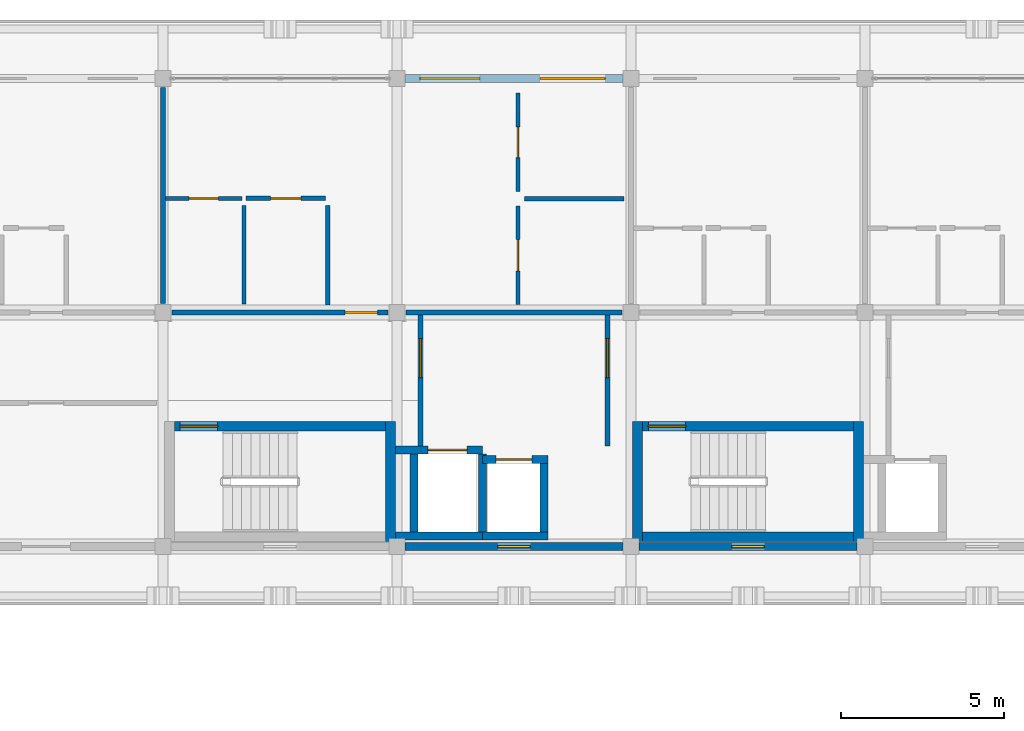
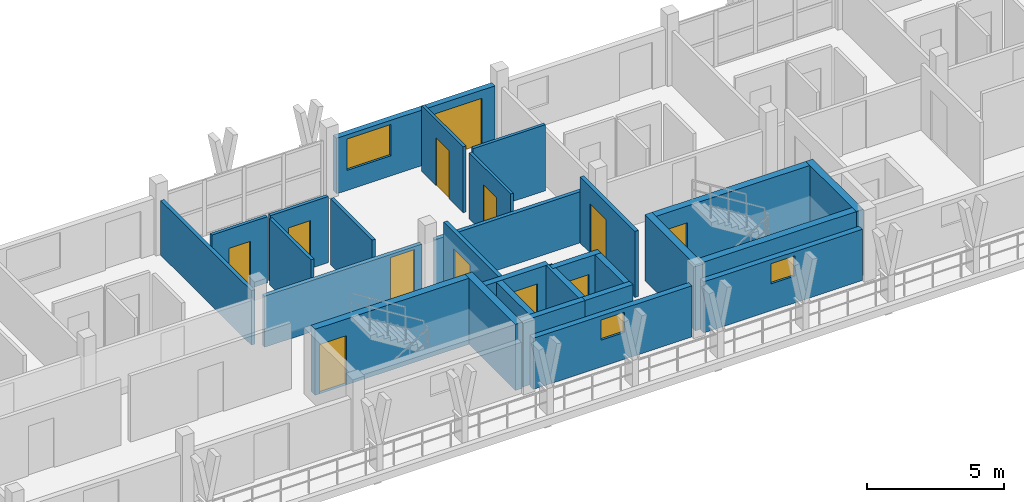
# One storey, part 20 of 32: 28 walls, 12 doors, 3 windows, 15 openings.
"""IFC4 building model written with IfcOpenShell, lengths in metres."""

from ifc_helpers import new_model, si_unit, direction, frame, frame_2d, origin, place, context, subcontext, project, spatial, rectangle, extrude, material, layer, layer_set, type_object, element, fill, save


model = new_model("IFC4")

# Units and contexts
model_context = context("Model", 3, precision=1e-05, world=origin(), true_north=direction((0.0, 1.0)))
body_context = subcontext(model_context, "Body", "Model", "MODEL_VIEW")
ifc_project = project(units=[si_unit("LENGTHUNIT", "METRE"), si_unit("AREAUNIT", "SQUARE_METRE"), si_unit("VOLUMEUNIT", "CUBIC_METRE"), si_unit("PLANEANGLEUNIT", "RADIAN"), si_unit("MASSUNIT", "GRAM", prefix="KILO")], contexts=[model_context])

# Site, building, storey
site_placement = place(None, origin())
site = spatial("IfcSite", under=ifc_project, at=site_placement, CompositionType="ELEMENT")
building_placement = place(site_placement, origin())
building = spatial("IfcBuilding", under=site, at=building_placement, Name="Suanplinth Sawtooth Commons", CompositionType="ELEMENT")
storey_placement = place(building_placement, frame((0.0, 0.0, 41.199951171875)))
storey = spatial("IfcBuildingStorey", under=building, at=storey_placement, Name="L12", CompositionType="ELEMENT", Elevation=41.199951171875)

# Wall, opening, door
ifc_material_1 = material(Name="Concrete C40/50", Category="concrete")
ifc_layer_1 = layer(ifc_material_1, 0.300048828125, Name="Standard RC stair and lift core wall 300mm")
ifc_layer_set_1 = layer_set([ifc_layer_1], Name="Concrete C40/50")
wall_type_1 = type_object("IfcWallType", Name="W-CR02", PredefinedType="SHEAR", material=ifc_layer_set_1)
wall_1_placement = place(storey_placement, frame((43.550048828125, 111.699951171875, 0.0), z_axis=(0.0, 0.0, 1.0), x_axis=(1.0, 0.0, 0.0)))
wall_1 = element("IfcWall", 1, at=wall_1_placement, inside=storey, type_object=wall_type_1, Name="W-L12-C-A1-STN", PredefinedType="SHEAR", context=body_context, shape_type="SweptSolid", body=[
    extrude(rectangle(XDim=6.5, YDim=0.300048828125, at=frame_2d((3.25, 0.0))), origin(), (0.0, 0.0, 1.0), 2.949951171875),
])
opening_1_placement = place(wall_1_placement, frame((0.179931640625, 0.0, 0.0)))
opening_1 = element("IfcOpeningElement", 2, at=opening_1_placement, cuts=wall_1, Name="Opening FD0066", PredefinedType="OPENING", context=body_context, shape_type="SweptSolid", body=[
    extrude(rectangle(XDim=1.14990234375, YDim=2.199951171875, at=frame_2d((0.574951171875, 1.10009765625))), frame((0.0, 0.1650390625, 0.0), z_axis=(0.0, -1.0, 0.0), x_axis=(1.0, 0.0, 0.0)), (0.0, 0.0, 1.0), 0.329833984375),
])
ifc_material_2 = material(Name="Teak hardwood fire-rated door assembly", Category="wood")
door_type_1 = type_object("IfcDoorType", Name="FD-01", OperationType="NOTDEFINED", PredefinedType="DOOR", material=ifc_material_2)
door_1_placement = place(opening_1_placement, frame((1.14990234375, 0.0, 0.0), z_axis=(0.0, 0.0, 1.0), x_axis=(-1.0, 0.0, 0.0)))
door_1 = element("IfcDoor", 3, at=door_1_placement, inside=storey, type_object=door_type_1, Name="Exit Stair Fire Door FD0066", OperationType="SINGLE_SWING_LEFT", OverallHeight=2.199951171875, OverallWidth=1.14990234375, PredefinedType="DOOR", context=body_context, shape_type="SweptSolid", body=[
    extrude(rectangle(XDim=1.14990234375, YDim=2.199951171875, at=frame_2d((0.574951171875, 1.10009765625))), frame((0.0, 0.02490234375, 0.0), z_axis=(0.0, -1.0, 0.0), x_axis=(1.0, 0.0, 0.0)), (0.0, 0.0, 1.0), 0.050048828125),
])
fill(opening_1, door_1)

# Walls
wall_2_placement = place(storey_placement, frame((50.199951171875, 108.14990234375, 0.0), z_axis=(0.0, 0.0, 1.0), x_axis=(0.0, 1.0, 0.0)))
element("IfcWall", 4, at=wall_2_placement, inside=storey, type_object=wall_type_1, Name="W-L12-C-A1-STE", PredefinedType="SHEAR", context=body_context, shape_type="SweptSolid", body=[
    extrude(rectangle(XDim=3.7001953125, YDim=0.300048828125, at=frame_2d((1.85009765625, 0.0))), origin(), (0.0, 0.0, 1.0), 2.949951171875),
])
wall_3_placement = place(storey_placement, frame((57.949951171875, 108.300048828125, 0.0), z_axis=(0.0, 0.0, 1.0), x_axis=(1.0, 0.0, 0.0)))
element("IfcWall", 5, at=wall_3_placement, inside=storey, type_object=wall_type_1, Name="W-L12-C-A2-STS", PredefinedType="SHEAR", context=body_context, shape_type="SweptSolid", body=[
    extrude(rectangle(XDim=6.5, YDim=0.300048828125, at=frame_2d((3.25, 0.0))), origin(), (0.0, 0.0, 1.0), 2.949951171875),
])

# Wall, opening, door
wall_4_placement = place(storey_placement, frame((57.949951171875, 111.699951171875, 0.0), z_axis=(0.0, 0.0, 1.0), x_axis=(1.0, 0.0, 0.0)))
wall_4 = element("IfcWall", 6, at=wall_4_placement, inside=storey, type_object=wall_type_1, Name="W-L12-C-A2-STN", PredefinedType="SHEAR", context=body_context, shape_type="SweptSolid", body=[
    extrude(rectangle(XDim=6.5, YDim=0.300048828125, at=frame_2d((3.25, 0.0))), origin(), (0.0, 0.0, 1.0), 2.949951171875),
])
opening_2_placement = place(wall_4_placement, frame((0.179931640625, 0.0, 0.0)))
opening_2 = element("IfcOpeningElement", 7, at=opening_2_placement, cuts=wall_4, Name="Opening FD0138", PredefinedType="OPENING", context=body_context, shape_type="SweptSolid", body=[
    extrude(rectangle(XDim=1.14990234375, YDim=2.199951171875, at=frame_2d((0.574951171875, 1.10009765625))), frame((0.0, 0.1650390625, 0.0), z_axis=(0.0, -1.0, 0.0), x_axis=(1.0, 0.0, 0.0)), (0.0, 0.0, 1.0), 0.329833984375),
])
door_2_placement = place(opening_2_placement, frame((1.14990234375, 0.0, 0.0), z_axis=(0.0, 0.0, 1.0), x_axis=(-1.0, 0.0, 0.0)))
door_2 = element("IfcDoor", 8, at=door_2_placement, inside=storey, type_object=door_type_1, Name="Exit Stair Fire Door FD0138", OperationType="SINGLE_SWING_RIGHT", OverallHeight=2.199951171875, OverallWidth=1.14990234375, PredefinedType="DOOR", context=body_context, shape_type="SweptSolid", body=[
    extrude(rectangle(XDim=1.14990234375, YDim=2.199951171875, at=frame_2d((0.574951171875, 1.10009765625))), frame((0.0, 0.02490234375, 0.0), z_axis=(0.0, -1.0, 0.0), x_axis=(1.0, 0.0, 0.0)), (0.0, 0.0, 1.0), 0.050048828125),
])
fill(opening_2, door_2)

# Walls
for number, where, z_axis, x_axis, name in (
    (9, (57.800048828125, 108.14990234375, 0.0), (0.0, 0.0, 1.0), (0.0, 1.0, 0.0), "W-L12-C-A2-STW"),
    (10, (64.60009765625, 108.14990234375, 0.0), (0.0, 0.0, 1.0), (0.0, 1.0, 0.0), "W-L12-C-A2-STE"),
):
    element("IfcWall", number, at=place(storey_placement, frame(where, z_axis=z_axis, x_axis=x_axis)), inside=storey, type_object=wall_type_1, Name=name, PredefinedType="SHEAR", context=body_context, shape_type="SweptSolid", body=[
        extrude(rectangle(XDim=3.7001953125, YDim=0.300048828125, at=frame_2d((1.85009765625, 0.0))), origin(), (0.0, 0.0, 1.0), 2.949951171875),
    ])

# Wall, openings, door, window
ifc_material_3 = material(Name="Precast concrete C40/50", Category="concrete")
ifc_layer_2 = layer(ifc_material_3, 0.239990234375, Name="Upper insulated precast facade wall 240mm")
ifc_layer_set_2 = layer_set([ifc_layer_2], Name="Precast concrete C40/50")
wall_type_2 = type_object("IfcWallType", Name="W-EX03", PredefinedType="ELEMENTEDWALL", material=ifc_layer_set_2)
wall_5_placement = place(storey_placement, frame((50.64990234375, 122.39990234375, 0.0), z_axis=(0.0, 0.0, 1.0), x_axis=(1.0, 0.0, 0.0)))
wall_5 = element("IfcWall", 11, at=wall_5_placement, inside=storey, type_object=wall_type_2, Name="Facade Wall W-L12-A-N-3", PredefinedType="ELEMENTEDWALL", context=body_context, shape_type="SweptSolid", body=[
    extrude(rectangle(XDim=6.7001953125, YDim=0.239990234375, at=frame_2d((3.35009765625, 0.0))), origin(), (0.0, 0.0, 1.0), 2.485107421875),
])
opening_3_placement = place(wall_5_placement, frame((4.14990234375, 0.0, 0.0)))
opening_3 = element("IfcOpeningElement", 12, at=opening_3_placement, cuts=wall_5, Name="Opening ED0811", PredefinedType="OPENING", context=body_context, shape_type="SweptSolid", body=[
    extrude(rectangle(XDim=2.0, YDim=2.1201171875, at=frame_2d((1.0, 1.06005859375))), frame((0.0, 0.134765625, 0.0), z_axis=(0.0, -1.0, 0.0), x_axis=(1.0, 0.0, 0.0)), (0.0, 0.0, 1.0), 0.269775390625),
])
opening_4_placement = place(wall_5_placement, frame((0.449951171875, 0.0, 0.89990234375)))
opening_4 = element("IfcOpeningElement", 13, at=opening_4_placement, cuts=wall_5, Name="Opening W0892", PredefinedType="OPENING", context=body_context, shape_type="SweptSolid", body=[
    extrude(rectangle(XDim=1.85009765625, YDim=1.39990234375, at=frame_2d((0.925048828125, 0.699951171875))), frame((0.0, 0.134765625, 0.0), z_axis=(0.0, -1.0, 0.0), x_axis=(1.0, 0.0, 0.0)), (0.0, 0.0, 1.0), 0.269775390625),
])
ifc_material_4 = material(Name="Anodized aluminium and low-E glass", Category="aluminium")
door_type_2 = type_object("IfcDoorType", Name="SD-06", OperationType="DOUBLE_DOOR_SLIDING", PredefinedType="DOOR", material=ifc_material_4)
door_3_placement = place(opening_3_placement, frame((2.0, 0.0, 0.0), z_axis=(0.0, 0.0, 1.0), x_axis=(-1.0, 0.0, 0.0)))
door_3 = element("IfcDoor", 14, at=door_3_placement, inside=storey, type_object=door_type_2, Name="Balcony Sliding Door L12-A-N-3", OperationType="DOUBLE_DOOR_SLIDING", OverallHeight=2.1201171875, OverallWidth=2.0, PredefinedType="DOOR", context=body_context, shape_type="SweptSolid", body=[
    extrude(rectangle(XDim=2.0, YDim=2.1201171875, at=frame_2d((1.0, 1.06005859375))), frame((0.0, 0.02490234375, 0.0), z_axis=(0.0, -1.0, 0.0), x_axis=(1.0, 0.0, 0.0)), (0.0, 0.0, 1.0), 0.050048828125),
])
fill(opening_3, door_3)
ifc_material_5 = material(Name="Thermally broken aluminium and low-E double glazing", Category="aluminium")
window_type_1 = type_object("IfcWindowType", Name="WN-23", PartitioningType="DOUBLE_PANEL_VERTICAL", PredefinedType="WINDOW", material=ifc_material_5)
window_1_placement = place(opening_4_placement, origin())
window_1 = element("IfcWindow", 15, at=window_1_placement, inside=storey, type_object=window_type_1, Name="Window L12-A-N-3", OverallHeight=1.39990234375, OverallWidth=1.85009765625, PartitioningType="DOUBLE_PANEL_VERTICAL", PredefinedType="WINDOW", context=body_context, shape_type="SweptSolid", body=[
    extrude(rectangle(XDim=1.85009765625, YDim=1.39990234375, at=frame_2d((0.925048828125, 0.699951171875))), frame((0.0, 0.030029296875, 0.0), z_axis=(0.0, -1.0, 0.0), x_axis=(1.0, 0.0, 0.0)), (0.0, 0.0, 1.0), 0.06005859375),
])
fill(opening_4, window_1)

# Wall, opening, window
wall_6_placement = place(storey_placement, frame((50.64990234375, 108.0, 0.0), z_axis=(0.0, 0.0, 1.0), x_axis=(1.0, 0.0, 0.0)))
wall_6 = element("IfcWall", 16, at=wall_6_placement, inside=storey, type_object=wall_type_2, Name="Courtyard Wall W-L12-A-S-3", PredefinedType="ELEMENTEDWALL", context=body_context, shape_type="SweptSolid", body=[
    extrude(rectangle(XDim=6.7001953125, YDim=0.239990234375, at=frame_2d((3.35009765625, 0.0))), origin(), (0.0, 0.0, 1.0), 2.28515625),
])
opening_5_placement = place(wall_6_placement, frame((2.85009765625, 0.0, 1.199951171875)))
opening_5 = element("IfcOpeningElement", 17, at=opening_5_placement, cuts=wall_6, Name="Opening W0893", PredefinedType="OPENING", context=body_context, shape_type="SweptSolid", body=[
    extrude(rectangle(XDim=1.0, YDim=0.89990234375, at=frame_2d((0.5, 0.449951171875))), frame((0.0, 0.134765625, 0.0), z_axis=(0.0, -1.0, 0.0), x_axis=(1.0, 0.0, 0.0)), (0.0, 0.0, 1.0), 0.269775390625),
])
window_type_2 = type_object("IfcWindowType", Name="WN-12", PartitioningType="SINGLE_PANEL", PredefinedType="WINDOW", material=ifc_material_5)
window_2_placement = place(opening_5_placement, origin())
window_2 = element("IfcWindow", 18, at=window_2_placement, inside=storey, type_object=window_type_2, Name="Core Daylight Window L12-A-3", OverallHeight=0.89990234375, OverallWidth=1.0, PartitioningType="SINGLE_PANEL", PredefinedType="WINDOW", context=body_context, shape_type="SweptSolid", body=[
    extrude(rectangle(XDim=1.0, YDim=0.89990234375, at=frame_2d((0.5, 0.449951171875))), frame((0.0, 0.030029296875, 0.0), z_axis=(0.0, -1.0, 0.0), x_axis=(1.0, 0.0, 0.0)), (0.0, 0.0, 1.0), 0.06005859375),
])
fill(opening_5, window_2)

wall_7_placement = place(storey_placement, frame((57.85009765625, 108.0, 0.0), z_axis=(0.0, 0.0, 1.0), x_axis=(1.0, 0.0, 0.0)))
wall_7 = element("IfcWall", 19, at=wall_7_placement, inside=storey, type_object=wall_type_2, Name="Courtyard Wall W-L12-A-S-4", PredefinedType="ELEMENTEDWALL", context=body_context, shape_type="SweptSolid", body=[
    extrude(rectangle(XDim=6.699951171875, YDim=0.239990234375, at=frame_2d((3.35009765625, 0.0))), origin(), (0.0, 0.0, 1.0), 2.28515625),
])
opening_6_placement = place(wall_7_placement, frame((2.85009765625, 0.0, 1.199951171875)))
opening_6 = element("IfcOpeningElement", 20, at=opening_6_placement, cuts=wall_7, Name="Opening W0895", PredefinedType="OPENING", context=body_context, shape_type="SweptSolid", body=[
    extrude(rectangle(XDim=1.0, YDim=0.89990234375, at=frame_2d((0.5, 0.449951171875))), frame((0.0, 0.134765625, 0.0), z_axis=(0.0, -1.0, 0.0), x_axis=(1.0, 0.0, 0.0)), (0.0, 0.0, 1.0), 0.269775390625),
])
window_3_placement = place(opening_6_placement, origin())
window_3 = element("IfcWindow", 21, at=window_3_placement, inside=storey, type_object=window_type_2, Name="Core Daylight Window L12-A-4", OverallHeight=0.89990234375, OverallWidth=1.0, PartitioningType="SINGLE_PANEL", PredefinedType="WINDOW", context=body_context, shape_type="SweptSolid", body=[
    extrude(rectangle(XDim=1.0, YDim=0.89990234375, at=frame_2d((0.5, 0.449951171875))), frame((0.0, 0.030029296875, 0.0), z_axis=(0.0, -1.0, 0.0), x_axis=(1.0, 0.0, 0.0)), (0.0, 0.0, 1.0), 0.06005859375),
])
fill(opening_6, window_3)

# Wall, opening, door
ifc_layer_3 = layer(ifc_material_3, 0.159912109375, Name="Fire-rated corridor and lobby wall 160mm")
ifc_layer_set_3 = layer_set([ifc_layer_3], Name="Precast concrete C40/50")
wall_type_3 = type_object("IfcWallType", Name="W-FW01", PredefinedType="PARTITIONING", material=ifc_layer_set_3)
wall_8_placement = place(storey_placement, frame((51.1201171875, 111.10009765625, 0.0), z_axis=(0.0, 0.0, 1.0), x_axis=(0.0, 1.0, 0.0)))
wall_8 = element("IfcWall", 22, at=wall_8_placement, inside=storey, type_object=wall_type_3, Name="W-L12-C-A1-LOB-W", PredefinedType="PARTITIONING", context=body_context, shape_type="SweptSolid", body=[
    extrude(rectangle(XDim=4.02001953125, YDim=0.159912109375, at=frame_2d((2.010009765625, 0.0))), origin(), (0.0, 0.0, 1.0), 2.949951171875),
])
opening_7_placement = place(wall_8_placement, frame((2.10009765625, 0.0, 0.0)))
opening_7 = element("IfcOpeningElement", 23, at=opening_7_placement, cuts=wall_8, Name="Opening FD0067", PredefinedType="OPENING", context=body_context, shape_type="SweptSolid", body=[
    extrude(rectangle(XDim=1.199951171875, YDim=2.199951171875, at=frame_2d((0.60009765625, 1.10009765625))), frame((0.0, 0.0947265625, 0.0), z_axis=(0.0, -1.0, 0.0), x_axis=(1.0, 0.0, 0.0)), (0.0, 0.0, 1.0), 0.189697265625),
])
door_type_3 = type_object("IfcDoorType", Name="FD-02", OperationType="NOTDEFINED", PredefinedType="DOOR", material=ifc_material_2)
door_4_placement = place(opening_7_placement, origin())
door_4 = element("IfcDoor", 24, at=door_4_placement, inside=storey, type_object=door_type_3, Name="Lobby Fire Door FD0067", OperationType="SINGLE_SWING_RIGHT", OverallHeight=2.199951171875, OverallWidth=1.199951171875, PredefinedType="DOOR", context=body_context, shape_type="SweptSolid", body=[
    extrude(rectangle(XDim=1.199951171875, YDim=2.199951171875, at=frame_2d((0.60009765625, 1.10009765625))), frame((0.0, 0.02490234375, 0.0), z_axis=(0.0, -1.0, 0.0), x_axis=(1.0, 0.0, 0.0)), (0.0, 0.0, 1.0), 0.050048828125),
])
fill(opening_7, door_4)

wall_9_placement = place(storey_placement, frame((56.8798828125, 111.10009765625, 0.0), z_axis=(0.0, 0.0, 1.0), x_axis=(0.0, 1.0, 0.0)))
wall_9 = element("IfcWall", 25, at=wall_9_placement, inside=storey, type_object=wall_type_3, Name="W-L12-C-A1-LOB-E", PredefinedType="PARTITIONING", context=body_context, shape_type="SweptSolid", body=[
    extrude(rectangle(XDim=4.02001953125, YDim=0.159912109375, at=frame_2d((2.010009765625, 0.0))), origin(), (0.0, 0.0, 1.0), 2.949951171875),
])
opening_8_placement = place(wall_9_placement, frame((2.10009765625, 0.0, 0.0)))
opening_8 = element("IfcOpeningElement", 26, at=opening_8_placement, cuts=wall_9, Name="Opening FD0068", PredefinedType="OPENING", context=body_context, shape_type="SweptSolid", body=[
    extrude(rectangle(XDim=1.199951171875, YDim=2.199951171875, at=frame_2d((0.60009765625, 1.10009765625))), frame((0.0, 0.0947265625, 0.0), z_axis=(0.0, -1.0, 0.0), x_axis=(1.0, 0.0, 0.0)), (0.0, 0.0, 1.0), 0.189697265625),
])
door_5_placement = place(opening_8_placement, frame((1.199951171875, 0.0, 0.0), z_axis=(0.0, 0.0, 1.0), x_axis=(-1.0, 0.0, 0.0)))
door_5 = element("IfcDoor", 27, at=door_5_placement, inside=storey, type_object=door_type_3, Name="Lobby Fire Door FD0068", OperationType="SINGLE_SWING_LEFT", OverallHeight=2.199951171875, OverallWidth=1.199951171875, PredefinedType="DOOR", context=body_context, shape_type="SweptSolid", body=[
    extrude(rectangle(XDim=1.199951171875, YDim=2.199951171875, at=frame_2d((0.60009765625, 1.10009765625))), frame((0.0, 0.02490234375, 0.0), z_axis=(0.0, -1.0, 0.0), x_axis=(1.0, 0.0, 0.0)), (0.0, 0.0, 1.0), 0.050048828125),
])
fill(opening_8, door_5)

wall_10_placement = place(storey_placement, frame((43.47998046875, 115.199951171875, 0.0), z_axis=(0.0, 0.0, 1.0), x_axis=(1.0, 0.0, 0.0)))
wall_10 = element("IfcWall", 28, at=wall_10_placement, inside=storey, type_object=wall_type_3, Name="W-A-L12-U03-COR-S1", PredefinedType="PARTITIONING", context=body_context, shape_type="SweptSolid", body=[
    extrude(rectangle(XDim=6.64013671875, YDim=0.159912109375, at=frame_2d((3.320068359375, 0.0))), origin(), (0.0, 0.0, 1.0), 2.28515625),
])
opening_9_placement = place(wall_10_placement, frame((5.320068359375, 0.0, 0.0)))
opening_9 = element("IfcOpeningElement", 29, at=opening_9_placement, cuts=wall_10, Name="Opening FD1989", PredefinedType="OPENING", context=body_context, shape_type="SweptSolid", body=[
    extrude(rectangle(XDim=1.0, YDim=2.14990234375, at=frame_2d((0.5, 1.074951171875))), frame((0.0, 0.0947265625, 0.0), z_axis=(0.0, -1.0, 0.0), x_axis=(1.0, 0.0, 0.0)), (0.0, 0.0, 1.0), 0.189697265625),
])
door_type_4 = type_object("IfcDoorType", Name="FD-03", OperationType="NOTDEFINED", PredefinedType="DOOR", material=ifc_material_2)
door_6_placement = place(opening_9_placement, origin())
door_6 = element("IfcDoor", 30, at=door_6_placement, inside=storey, type_object=door_type_4, Name="Unit Entrance Door FD1989", OperationType="SINGLE_SWING_LEFT", OverallHeight=2.14990234375, OverallWidth=1.0, PredefinedType="DOOR", context=body_context, shape_type="SweptSolid", body=[
    extrude(rectangle(XDim=1.0, YDim=2.14990234375, at=frame_2d((0.5, 1.074951171875))), frame((0.0, 0.02490234375, 0.0), z_axis=(0.0, -1.0, 0.0), x_axis=(1.0, 0.0, 0.0)), (0.0, 0.0, 1.0), 0.050048828125),
])
fill(opening_9, door_6)

# Walls
wall_11_placement = place(storey_placement, frame((50.679931640625, 115.199951171875, 0.0), z_axis=(0.0, 0.0, 1.0), x_axis=(1.0, 0.0, 0.0)))
element("IfcWall", 31, at=wall_11_placement, inside=storey, type_object=wall_type_3, Name="W-A-L12-U03-COR-S2", PredefinedType="PARTITIONING", context=body_context, shape_type="SweptSolid", body=[
    extrude(rectangle(XDim=6.64013671875, YDim=0.159912109375, at=frame_2d((3.320068359375, 0.0))), origin(), (0.0, 0.0, 1.0), 2.28515625),
])
ifc_layer_4 = layer(ifc_material_3, 0.14990234375, Name="Acoustic precast party demising wall 150mm")
ifc_layer_set_4 = layer_set([ifc_layer_4], Name="Precast concrete C40/50")
wall_type_4 = type_object("IfcWallType", Name="W-FW02", PredefinedType="PARTITIONING", material=ifc_layer_set_4)
wall_12_placement = place(storey_placement, frame((43.199951171875, 115.47998046875, 0.0), z_axis=(0.0, 0.0, 1.0), x_axis=(0.0, 1.0, 0.0)))
element("IfcWall", 32, at=wall_12_placement, inside=storey, type_object=wall_type_4, Name="W-A-L12-U02-PTY", PredefinedType="PARTITIONING", context=body_context, shape_type="SweptSolid", body=[
    extrude(rectangle(XDim=6.64013671875, YDim=0.14990234375, at=frame_2d((3.320068359375, 0.0))), origin(), (0.0, 0.0, 1.0), 2.43505859375),
])

# Wall, opening, door
ifc_material_6 = material(Name="Gypsum plasterboard on steel stud", Category="steel")
ifc_layer_5 = layer(ifc_material_6, 0.139892578125, Name="Fire-rated kitchen partition 140mm")
ifc_layer_set_5 = layer_set([ifc_layer_5], Name="Gypsum plasterboard on steel stud")
wall_type_5 = type_object("IfcWallType", Name="W-PT01", PredefinedType="PARTITIONING", material=ifc_layer_set_5)
wall_13_placement = place(storey_placement, frame((45.75, 118.7099609375, 0.0), z_axis=(0.0, 0.0, 1.0), x_axis=(1.0, 0.0, 0.0)))
wall_13 = element("IfcWall", 33, at=wall_13_placement, inside=storey, type_object=wall_type_5, Name="W-A-L12-U03-KIT1", PredefinedType="PARTITIONING", context=body_context, shape_type="SweptSolid", body=[
    extrude(rectangle(XDim=2.449951171875, YDim=0.139892578125, at=frame_2d((1.22509765625, 0.0))), origin(), (0.0, 0.0, 1.0), 2.949951171875),
])
opening_10_placement = place(wall_13_placement, frame((0.760009765625, 0.0, 0.0)))
opening_10 = element("IfcOpeningElement", 34, at=opening_10_placement, cuts=wall_13, Name="Opening D1991", PredefinedType="OPENING", context=body_context, shape_type="SweptSolid", body=[
    extrude(rectangle(XDim=0.929931640625, YDim=2.139892578125, at=frame_2d((0.46484375, 1.06982421875))), frame((0.0, 0.0849609375, 0.0), z_axis=(0.0, -1.0, 0.0), x_axis=(1.0, 0.0, 0.0)), (0.0, 0.0, 1.0), 0.169677734375),
])
ifc_material_7 = material(Name="Teak hardwood", Category="wood")
door_type_5 = type_object("IfcDoorType", Name="D-19", OperationType="NOTDEFINED", PredefinedType="DOOR", material=ifc_material_7)
door_7_placement = place(opening_10_placement, frame((0.929931640625, 0.0, 0.0), z_axis=(0.0, 0.0, 1.0), x_axis=(-1.0, 0.0, 0.0)))
door_7 = element("IfcDoor", 35, at=door_7_placement, inside=storey, type_object=door_type_5, Name="Kitchen Door D1991", OperationType="SINGLE_SWING_LEFT", OverallHeight=2.139892578125, OverallWidth=0.929931640625, PredefinedType="DOOR", context=body_context, shape_type="SweptSolid", body=[
    extrude(rectangle(XDim=0.929931640625, YDim=2.139892578125, at=frame_2d((0.46484375, 1.06982421875))), frame((0.0, 0.02490234375, 0.0), z_axis=(0.0, -1.0, 0.0), x_axis=(1.0, 0.0, 0.0)), (0.0, 0.0, 1.0), 0.050048828125),
])
fill(opening_10, door_7)

# Wall
wall_14_placement = place(storey_placement, frame((48.27001953125, 115.429931640625, 0.0), z_axis=(0.0, 0.0, 1.0), x_axis=(0.0, 1.0, 0.0)))
element("IfcWall", 36, at=wall_14_placement, inside=storey, type_object=wall_type_5, Name="W-A-L12-U03-KIT2", PredefinedType="PARTITIONING", context=body_context, shape_type="SweptSolid", body=[
    extrude(rectangle(XDim=3.06005859375, YDim=0.139892578125, at=frame_2d((1.530029296875, 0.0))), origin(), (0.0, 0.0, 1.0), 2.949951171875),
])

# Wall, opening, door
ifc_layer_6 = layer(ifc_material_6, 0.1298828125, Name="Moisture-resistant bathroom partition 130mm")
ifc_layer_set_6 = layer_set([ifc_layer_6], Name="Gypsum plasterboard on steel stud")
wall_type_6 = type_object("IfcWallType", Name="W-PT02", PredefinedType="PARTITIONING", material=ifc_layer_set_6)
wall_15_placement = place(storey_placement, frame((43.280029296875, 118.705078125, 0.0), z_axis=(0.0, 0.0, 1.0), x_axis=(1.0, 0.0, 0.0)))
wall_15 = element("IfcWall", 37, at=wall_15_placement, inside=storey, type_object=wall_type_6, Name="W-A-L12-U03-BTH1", PredefinedType="PARTITIONING", context=body_context, shape_type="SweptSolid", body=[
    extrude(rectangle(XDim=2.349853515625, YDim=0.1298828125, at=frame_2d((1.1748046875, 0.0))), origin(), (0.0, 0.0, 1.0), 2.949951171875),
])
opening_11_placement = place(wall_15_placement, frame((0.72509765625, 0.0, 0.0)))
opening_11 = element("IfcOpeningElement", 38, at=opening_11_placement, cuts=wall_15, Name="Opening D1990", PredefinedType="OPENING", context=body_context, shape_type="SweptSolid", body=[
    extrude(rectangle(XDim=0.89990234375, YDim=2.10009765625, at=frame_2d((0.449951171875, 1.050048828125))), frame((0.0, 0.079833984375, 0.0), z_axis=(0.0, -1.0, 0.0), x_axis=(1.0, 0.0, 0.0)), (0.0, 0.0, 1.0), 0.15966796875),
])
door_type_6 = type_object("IfcDoorType", Name="D-01", OperationType="NOTDEFINED", PredefinedType="DOOR", material=ifc_material_7)
door_8_placement = place(opening_11_placement, frame((0.89990234375, 0.0, 0.0), z_axis=(0.0, 0.0, 1.0), x_axis=(-1.0, 0.0, 0.0)))
door_8 = element("IfcDoor", 39, at=door_8_placement, inside=storey, type_object=door_type_6, Name="Bathroom Door D1990", OperationType="SINGLE_SWING_RIGHT", OverallHeight=2.10009765625, OverallWidth=0.89990234375, PredefinedType="DOOR", context=body_context, shape_type="SweptSolid", body=[
    extrude(rectangle(XDim=0.89990234375, YDim=2.10009765625, at=frame_2d((0.449951171875, 1.050048828125))), frame((0.0, 0.02490234375, 0.0), z_axis=(0.0, -1.0, 0.0), x_axis=(1.0, 0.0, 0.0)), (0.0, 0.0, 1.0), 0.050048828125),
])
fill(opening_11, door_8)

# Wall
wall_16_placement = place(storey_placement, frame((45.695068359375, 115.4599609375, 0.0), z_axis=(0.0, 0.0, 1.0), x_axis=(0.0, 1.0, 0.0)))
element("IfcWall", 40, at=wall_16_placement, inside=storey, type_object=wall_type_6, Name="W-A-L12-U03-BTH2", PredefinedType="PARTITIONING", context=body_context, shape_type="SweptSolid", body=[
    extrude(rectangle(XDim=3.0400390625, YDim=0.1298828125, at=frame_2d((1.52001953125, 0.0))), origin(), (0.0, 0.0, 1.0), 2.949951171875),
])

# Wall, opening, door
ifc_layer_7 = layer(ifc_material_6, 0.1201171875, Name="Acoustic bedroom partition 120mm")
ifc_layer_set_7 = layer_set([ifc_layer_7], Name="Gypsum plasterboard on steel stud")
wall_type_7 = type_object("IfcWallType", Name="W-PT03", PredefinedType="PARTITIONING", material=ifc_layer_set_7)
wall_17_placement = place(storey_placement, frame((54.1201171875, 118.919921875, 0.0), z_axis=(0.0, 0.0, 1.0), x_axis=(0.0, 1.0, 0.0)))
wall_17 = element("IfcWall", 41, at=wall_17_placement, inside=storey, type_object=wall_type_7, Name="W-A-L12-U03-BED1", PredefinedType="PARTITIONING", context=body_context, shape_type="SweptSolid", body=[
    extrude(rectangle(XDim=3.0400390625, YDim=0.1201171875, at=frame_2d((1.52001953125, 0.0))), origin(), (0.0, 0.0, 1.0), 2.949951171875),
])
opening_12_placement = place(wall_17_placement, frame((1.044921875, 0.0, 0.0)))
opening_12 = element("IfcOpeningElement", 42, at=opening_12_placement, cuts=wall_17, Name="Opening D1992", PredefinedType="OPENING", context=body_context, shape_type="SweptSolid", body=[
    extrude(rectangle(XDim=0.949951171875, YDim=2.14990234375, at=frame_2d((0.47509765625, 1.074951171875))), frame((0.0, 0.074951171875, 0.0), z_axis=(0.0, -1.0, 0.0), x_axis=(1.0, 0.0, 0.0)), (0.0, 0.0, 1.0), 0.14990234375),
])
door_type_7 = type_object("IfcDoorType", Name="D-03", OperationType="NOTDEFINED", PredefinedType="DOOR", material=ifc_material_7)
door_9_placement = place(opening_12_placement, frame((0.949951171875, 0.0, 0.0), z_axis=(0.0, 0.0, 1.0), x_axis=(-1.0, 0.0, 0.0)))
door_9 = element("IfcDoor", 43, at=door_9_placement, inside=storey, type_object=door_type_7, Name="Bedroom Door D1992", OperationType="SINGLE_SWING_RIGHT", OverallHeight=2.14990234375, OverallWidth=0.949951171875, PredefinedType="DOOR", context=body_context, shape_type="SweptSolid", body=[
    extrude(rectangle(XDim=0.949951171875, YDim=2.14990234375, at=frame_2d((0.47509765625, 1.074951171875))), frame((0.0, 0.02490234375, 0.0), z_axis=(0.0, -1.0, 0.0), x_axis=(1.0, 0.0, 0.0)), (0.0, 0.0, 1.0), 0.050048828125),
])
fill(opening_12, door_9)

wall_18_placement = place(storey_placement, frame((54.1201171875, 115.43994140625, 0.0), z_axis=(0.0, 0.0, 1.0), x_axis=(0.0, 1.0, 0.0)))
wall_18 = element("IfcWall", 44, at=wall_18_placement, inside=storey, type_object=wall_type_7, Name="W-A-L12-U03-BED2", PredefinedType="PARTITIONING", context=body_context, shape_type="SweptSolid", body=[
    extrude(rectangle(XDim=3.0400390625, YDim=0.1201171875, at=frame_2d((1.52001953125, 0.0))), origin(), (0.0, 0.0, 1.0), 2.949951171875),
])
opening_13_placement = place(wall_18_placement, frame((1.0400390625, 0.0, 0.0)))
opening_13 = element("IfcOpeningElement", 45, at=opening_13_placement, cuts=wall_18, Name="Opening D1993", PredefinedType="OPENING", context=body_context, shape_type="SweptSolid", body=[
    extrude(rectangle(XDim=0.9599609375, YDim=2.14990234375, at=frame_2d((0.47998046875, 1.074951171875))), frame((0.0, 0.074951171875, 0.0), z_axis=(0.0, -1.0, 0.0), x_axis=(1.0, 0.0, 0.0)), (0.0, 0.0, 1.0), 0.14990234375),
])
door_type_8 = type_object("IfcDoorType", Name="D-13", OperationType="NOTDEFINED", PredefinedType="DOOR", material=ifc_material_7)
door_10_placement = place(opening_13_placement, frame((0.9599609375, 0.0, 0.0), z_axis=(0.0, 0.0, 1.0), x_axis=(-1.0, 0.0, 0.0)))
door_10 = element("IfcDoor", 46, at=door_10_placement, inside=storey, type_object=door_type_8, Name="Second Bedroom Door D1993", OperationType="SINGLE_SWING_LEFT", OverallHeight=2.14990234375, OverallWidth=0.9599609375, PredefinedType="DOOR", context=body_context, shape_type="SweptSolid", body=[
    extrude(rectangle(XDim=0.9599609375, YDim=2.14990234375, at=frame_2d((0.47998046875, 1.074951171875))), frame((0.0, 0.02490234375, 0.0), z_axis=(0.0, -1.0, 0.0), x_axis=(1.0, 0.0, 0.0)), (0.0, 0.0, 1.0), 0.050048828125),
])
fill(opening_13, door_10)

# Walls
ifc_layer_8 = layer(ifc_material_6, 0.125, Name="Acoustic study partition 125mm")
ifc_layer_set_8 = layer_set([ifc_layer_8], Name="Gypsum plasterboard on steel stud")
wall_type_8 = type_object("IfcWallType", Name="W-PT06", PredefinedType="PARTITIONING", material=ifc_layer_set_8)
wall_19_placement = place(storey_placement, frame((54.320068359375, 118.699951171875, 0.0), z_axis=(0.0, 0.0, 1.0), x_axis=(1.0, 0.0, 0.0)))
element("IfcWall", 47, at=wall_19_placement, inside=storey, type_object=wall_type_8, Name="W-A-L12-U03-BEDDIV", PredefinedType="PARTITIONING", context=body_context, shape_type="SweptSolid", body=[
    extrude(rectangle(XDim=3.059814453125, YDim=0.125, at=frame_2d((1.52978515625, 0.0))), origin(), (0.0, 0.0, 1.0), 2.949951171875),
])
ifc_layer_9 = layer(ifc_material_3, 0.25, Name="Precast structural shear wall 250mm")
ifc_layer_set_9 = layer_set([ifc_layer_9], Name="Precast concrete C40/50")
wall_type_9 = type_object("IfcWallType", Name="W-SH01", PredefinedType="SHEAR", material=ifc_layer_set_9)
wall_20_placement = place(storey_placement, frame((50.35009765625, 108.324951171875, 0.0), z_axis=(0.0, 0.0, 1.0), x_axis=(1.0, 0.0, 0.0)))
element("IfcWall", 48, at=wall_20_placement, inside=storey, type_object=wall_type_9, Name="W-L12-FL1-S", PredefinedType="SHEAR", context=body_context, shape_type="SweptSolid", body=[
    extrude(rectangle(XDim=2.6748046875, YDim=0.25, at=frame_2d((1.33740234375, 0.0))), origin(), (0.0, 0.0, 1.0), 2.949951171875),
])

# Wall, opening, door
wall_21_placement = place(storey_placement, frame((50.35009765625, 110.97509765625, 0.0), z_axis=(0.0, 0.0, 1.0), x_axis=(1.0, 0.0, 0.0)))
wall_21 = element("IfcWall", 49, at=wall_21_placement, inside=storey, type_object=wall_type_9, Name="W-L12-FL1-N", PredefinedType="SHEAR", context=body_context, shape_type="SweptSolid", body=[
    extrude(rectangle(XDim=2.6748046875, YDim=0.25, at=frame_2d((1.33740234375, 0.0))), origin(), (0.0, 0.0, 1.0), 2.949951171875),
])
opening_14_placement = place(wall_21_placement, frame((1.0, 0.0, 0.0)))
opening_14 = element("IfcOpeningElement", 50, at=opening_14_placement, cuts=wall_21, Name="Opening LD0069", PredefinedType="OPENING", context=body_context, shape_type="SweptSolid", body=[
    extrude(rectangle(XDim=1.199951171875, YDim=2.25, at=frame_2d((0.60009765625, 1.125))), frame((0.0, 0.139892578125, 0.0), z_axis=(0.0, -1.0, 0.0), x_axis=(1.0, 0.0, 0.0)), (0.0, 0.0, 1.0), 0.27978515625),
])
ifc_material_8 = material(Name="Stainless steel Grade 304", Category="steel")
door_type_9 = type_object("IfcDoorType", Name="LD-02", OperationType="SLIDING_TO_LEFT", PredefinedType="DOOR", material=ifc_material_8)
door_11_placement = place(opening_14_placement, origin())
door_11 = element("IfcDoor", 51, at=door_11_placement, inside=storey, type_object=door_type_9, Name="Lift Landing Sliding Door FL1 L12", OperationType="SLIDING_TO_LEFT", OverallHeight=2.25, OverallWidth=1.199951171875, PredefinedType="DOOR", context=body_context, shape_type="SweptSolid", body=[
    extrude(rectangle(XDim=1.199951171875, YDim=2.25, at=frame_2d((0.60009765625, 1.125))), frame((0.0, 0.02490234375, 0.0), z_axis=(0.0, -1.0, 0.0), x_axis=(1.0, 0.0, 0.0)), (0.0, 0.0, 1.0), 0.050048828125),
])
fill(opening_14, door_11)

# Walls
for number, where, z_axis, x_axis, name in (
    (52, (50.925048828125, 108.449951171875, 0.0), (0.0, 0.0, 1.0), (0.0, 1.0, 0.0), "W-L12-FL1-W"),
    (53, (53.02490234375, 108.449951171875, 0.0), (0.0, 0.0, 1.0), (0.0, 1.0, 0.0), "W-L12-FL1-DIV"),
):
    element("IfcWall", number, at=place(storey_placement, frame(where, z_axis=z_axis, x_axis=x_axis)), inside=storey, type_object=wall_type_9, Name=name, PredefinedType="SHEAR", context=body_context, shape_type="SweptSolid", body=[
        extrude(rectangle(XDim=2.400146484375, YDim=0.25, at=frame_2d((1.2001953125, 0.0))), origin(), (0.0, 0.0, 1.0), 2.949951171875),
    ])
wall_22_placement = place(storey_placement, frame((53.02490234375, 108.324951171875, 0.0), z_axis=(0.0, 0.0, 1.0), x_axis=(1.0, 0.0, 0.0)))
element("IfcWall", 54, at=wall_22_placement, inside=storey, type_object=wall_type_9, Name="W-L12-LF1-S", PredefinedType="SHEAR", context=body_context, shape_type="SweptSolid", body=[
    extrude(rectangle(XDim=2.025146484375, YDim=0.25, at=frame_2d((1.0126953125, 0.0))), origin(), (0.0, 0.0, 1.0), 2.949951171875),
])

# Wall, opening, door
wall_23_placement = place(storey_placement, frame((53.02490234375, 110.675048828125, 0.0), z_axis=(0.0, 0.0, 1.0), x_axis=(1.0, 0.0, 0.0)))
wall_23 = element("IfcWall", 55, at=wall_23_placement, inside=storey, type_object=wall_type_9, Name="W-L12-LF1-N", PredefinedType="SHEAR", context=body_context, shape_type="SweptSolid", body=[
    extrude(rectangle(XDim=2.025146484375, YDim=0.25, at=frame_2d((1.0126953125, 0.0))), origin(), (0.0, 0.0, 1.0), 2.949951171875),
])
opening_15_placement = place(wall_23_placement, frame((0.425048828125, 0.0, 0.0)))
opening_15 = element("IfcOpeningElement", 56, at=opening_15_placement, cuts=wall_23, Name="Opening LD0070", PredefinedType="OPENING", context=body_context, shape_type="SweptSolid", body=[
    extrude(rectangle(XDim=1.10009765625, YDim=2.14990234375, at=frame_2d((0.550048828125, 1.074951171875))), frame((0.0, 0.139892578125, 0.0), z_axis=(0.0, -1.0, 0.0), x_axis=(1.0, 0.0, 0.0)), (0.0, 0.0, 1.0), 0.27978515625),
])
door_type_10 = type_object("IfcDoorType", Name="LD-01", OperationType="SLIDING_TO_LEFT", PredefinedType="DOOR", material=ifc_material_8)
door_12_placement = place(opening_15_placement, origin())
door_12 = element("IfcDoor", 57, at=door_12_placement, inside=storey, type_object=door_type_10, Name="Lift Landing Sliding Door LF1 L12", OperationType="SLIDING_TO_LEFT", OverallHeight=2.14990234375, OverallWidth=1.10009765625, PredefinedType="DOOR", context=body_context, shape_type="SweptSolid", body=[
    extrude(rectangle(XDim=1.10009765625, YDim=2.14990234375, at=frame_2d((0.550048828125, 1.074951171875))), frame((0.0, 0.02490234375, 0.0), z_axis=(0.0, -1.0, 0.0), x_axis=(1.0, 0.0, 0.0)), (0.0, 0.0, 1.0), 0.050048828125),
])
fill(opening_15, door_12)

# Wall
wall_24_placement = place(storey_placement, frame((54.925048828125, 108.449951171875, 0.0), z_axis=(0.0, 0.0, 1.0), x_axis=(0.0, 1.0, 0.0)))
element("IfcWall", 58, at=wall_24_placement, inside=storey, type_object=wall_type_9, Name="W-L12-LF1-E", PredefinedType="SHEAR", context=body_context, shape_type="SweptSolid", body=[
    extrude(rectangle(XDim=2.10009765625, YDim=0.25, at=frame_2d((1.050048828125, 0.0))), origin(), (0.0, 0.0, 1.0), 2.949951171875),
])

save(model, "model.ifc")
